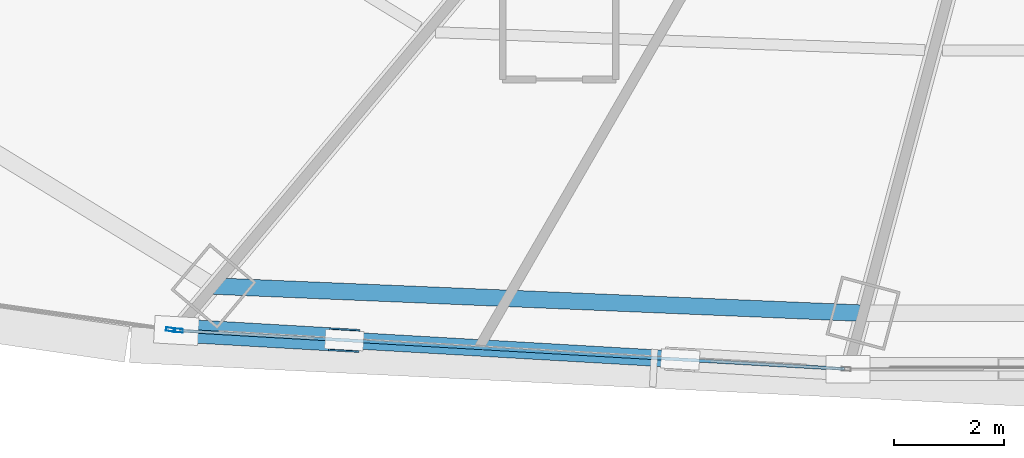
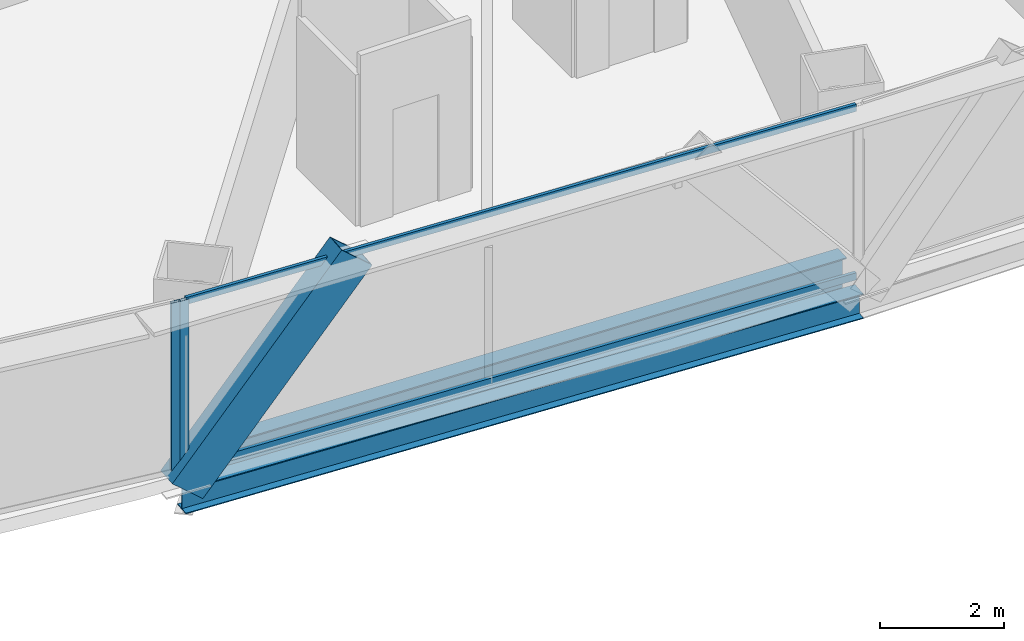
# One storey, part 6 of 41: 5 members, 2 beams, 2 elements without a shape of their own.
"""IFC4 building model written with IfcOpenShell, lengths in metres."""

from ifc_helpers import new_model, si_unit, direction, frame, origin, origin_2d, place, context, subcontext, project, spatial, hollow_rectangle, i_section, extrude, source, transform, mapped, material, layer, layer_set, material_profile, profile_set, type_object, element, aggregate, save


model = new_model("IFC4")

# Units and contexts
model_context = context("Model", 3, precision=1e-05, world=origin(), true_north=direction((0.0, 1.0)))
body_context = subcontext(model_context, "Body", "Model", "MODEL_VIEW")
ifc_project = project(units=[si_unit("LENGTHUNIT", "METRE"), si_unit("AREAUNIT", "SQUARE_METRE"), si_unit("VOLUMEUNIT", "CUBIC_METRE"), si_unit("PLANEANGLEUNIT", "RADIAN"), si_unit("MASSUNIT", "GRAM", prefix="KILO"), si_unit("THERMODYNAMICTEMPERATUREUNIT", "KELVIN"), si_unit("POWERUNIT", "WATT")], contexts=[model_context])

# Site, building, storey
site_placement = place(None, origin())
site = spatial("IfcSite", under=ifc_project, at=site_placement, CompositionType="ELEMENT")
building_placement = place(site_placement, origin())
building = spatial("IfcBuilding", under=site, at=building_placement, Name="Yunzhuo Pagoda Commons", CompositionType="ELEMENT")
storey_placement = place(building_placement, frame((0.0, 0.0, 63.070068359375)))
storey = spatial("IfcBuildingStorey", under=building, at=storey_placement, Name="L16", CompositionType="ELEMENT", Elevation=63.070068359375)

# Beams
ifc_material_1 = material(Name="Structural steel Q355B", Category="steel")
ifc_material_profile_1 = material_profile(ifc_material_1, i_section(OverallWidth=0.300048828125, OverallDepth=0.699951171875, WebThickness=0.012939453125, FlangeThickness=0.02392578125, at=origin_2d()), Name="Structural steel Q355B")
ifc_profile_set_1 = profile_set([ifc_material_profile_1], Name="Structural steel Q355B")
beam_type_1 = type_object("IfcBeamType", Name="B-RG1 Beam HN 700x300x13x24", PredefinedType="BEAM", material=ifc_profile_set_1)
shared_shape_1 = source(origin(), body_context, "Body", "SweptSolid", [
    extrude(i_section(OverallWidth=0.300048828125, OverallDepth=0.699951171875, WebThickness=0.012939453125, FlangeThickness=0.02392578125, at=origin_2d()), origin(), (0.0, 0.0, 1.0), 11.7900390625),
])
beam_1_placement = place(storey_placement, frame((30.5, 12.844482421875, -0.610107421875), z_axis=(0.99912739354, -0.041766631146, 0.0), x_axis=(0.041766631146, 0.99912739354, 0.0)))
element("IfcBeam", 1, at=beam_1_placement, inside=storey, type_object=beam_type_1, Name="L16 column-ring beam 1", PredefinedType="BEAM", context=body_context, shape_type="MappedRepresentation", body=[
    mapped(shared_shape_1, transform((0.0, 0.0, 0.0), scale=1.0)),
])
ifc_material_profile_2 = material_profile(ifc_material_1, i_section(OverallWidth=0.300048828125, OverallDepth=0.488037109375, WebThickness=0.010986328125, FlangeThickness=0.01806640625, at=origin_2d()), Name="Structural steel Q355B")
ifc_profile_set_2 = profile_set([ifc_material_profile_2], Name="Structural steel Q355B")
beam_type_2 = type_object("IfcBeamType", Name="B-SP1 Beam HM 488x300x11x18", PredefinedType="BEAM", material=ifc_profile_set_2)
shared_shape_2 = source(origin(), body_context, "Body", "SweptSolid", [
    extrude(i_section(OverallWidth=0.300048828125, OverallDepth=0.488037109375, WebThickness=0.010986328125, FlangeThickness=0.01806640625, at=origin_2d()), origin(), (0.0, 0.0, 1.0), 12.203125),
])
beam_2_placement = place(storey_placement, frame((29.8251953125, 12.0400390625, -0.504150390625), z_axis=(0.998343280555, -0.057538631989, 0.0), x_axis=(0.057538631989, 0.998343280555, 0.0)))
element("IfcBeam", 2, at=beam_2_placement, inside=storey, type_object=beam_type_2, Name="L16 facade edge spandrel beam F1.1", PredefinedType="BEAM", context=body_context, shape_type="MappedRepresentation", body=[
    mapped(shared_shape_2, transform((0.0, 0.0, 0.0), scale=1.0)),
])

# Member
ifc_material_2 = material(Name="Structural steel Q420B", Category="steel")
ifc_material_profile_3 = material_profile(ifc_material_2, hollow_rectangle(XDim=0.419921875, YDim=0.719970703125, WallThickness=0.028076171875, at=origin_2d()), Name="Structural steel Q420B")
ifc_profile_set_3 = profile_set([ifc_material_profile_3], Name="Structural steel Q420B")
member_type_1 = type_object("IfcMemberType", Name="M-DL1 Brace BOX 720x420x28", PredefinedType="BRACE", material=ifc_profile_set_3)
shared_shape_3 = source(origin(), body_context, "Body", "SweptSolid", [
    extrude(hollow_rectangle(XDim=0.419921875, YDim=0.719970703125, WallThickness=0.028076171875, at=origin_2d()), origin(), (0.0, 0.0, 1.0), 4.74169921875),
])
member_1_placement = place(storey_placement, frame((29.8251953125, 12.0400390625, -0.260009765625), z_axis=(0.642324823911, -0.037020565001, 0.765537914381), x_axis=(0.05753978125, 0.998343214317, 0.0)))
element("IfcMember", 3, at=member_1_placement, inside=storey, type_object=member_type_1, Name="L16 facade diamond brace F1.1L", PredefinedType="BRACE", context=body_context, shape_type="MappedRepresentation", body=[
    mapped(shared_shape_3, transform((0.0, 0.0, 0.0), scale=1.0)),
])

# Curtain wall, member
ifc_material_3 = material(Name="Anodized aluminium 6063-T6", Category="aluminium")
ifc_layer = layer(ifc_material_3, 0.1650390625)
ifc_layer_set = layer_set([ifc_layer], Name="Anodized aluminium 6063-T6")
curtain_wall_type = type_object("IfcCurtainWallType", Name="CW-LOW Low-Zone Ribbon Curtain Wall", PredefinedType="NOTDEFINED", material=ifc_layer_set)
curtain_wall_1_placement = place(storey_placement, origin())
curtain_wall_1 = element("IfcCurtainWall", 4, at=curtain_wall_1_placement, inside=storey, type_object=curtain_wall_type, Name="L16 curtain wall CW-L16-F1B2", PredefinedType="NOTDEFINED")
ifc_material_profile_4 = material_profile(ifc_material_3, hollow_rectangle(XDim=0.06494140625, YDim=0.1650390625, WallThickness=0.00390625, at=origin_2d()), Name="Anodized aluminium 6063-T6")
ifc_profile_set_4 = profile_set([ifc_material_profile_4], Name="Anodized aluminium 6063-T6")
member_type_2 = type_object("IfcMemberType", Name="CW-LOW-M Mullion RHS 165x65x4", PredefinedType="MULLION", material=ifc_profile_set_4)
shared_shape_4 = source(origin(), body_context, "Body", "SweptSolid", [
    extrude(hollow_rectangle(XDim=0.06494140625, YDim=0.1650390625, WallThickness=0.00390625, at=origin_2d()), origin(), (0.0, 0.0, 1.0), 3.369873046875),
])
member_2_placement = place(storey_placement, frame((29.857666015625, 12.0380859375, 0.0), z_axis=(0.0, 0.0, 1.0), x_axis=(0.057542190557, 0.998343075454, 0.0)))
member_2 = element("IfcMember", 5, at=member_2_placement, type_object=member_type_2, Name="CW mullion 1", PredefinedType="MULLION", context=body_context, shape_type="MappedRepresentation", body=[
    mapped(shared_shape_4, transform((0.0, 0.0, 0.0), scale=1.0)),
])

curtain_wall_2_placement = place(storey_placement, origin())
curtain_wall_2 = element("IfcCurtainWall", 6, at=curtain_wall_2_placement, inside=storey, type_object=curtain_wall_type, Name="L16 curtain wall CW-L16-F1B1", PredefinedType="NOTDEFINED")
member_3_placement = place(storey_placement, frame((29.71875, 12.05517578125, 0.0), z_axis=(0.0, 0.0, 1.0), x_axis=(0.141139872999, 0.989989664719, 0.0)))
member_3 = element("IfcMember", 7, at=member_3_placement, type_object=member_type_2, Name="CW mullion 2", PredefinedType="MULLION", context=body_context, shape_type="MappedRepresentation", body=[
    mapped(shared_shape_4, transform((0.0, 0.0, 0.0), scale=1.0)),
])
aggregate(curtain_wall_2, [member_3])

# Member
ifc_material_profile_5 = material_profile(ifc_material_3, hollow_rectangle(XDim=0.06005859375, YDim=0.139892578125, WallThickness=0.00341796875, at=origin_2d()), Name="Anodized aluminium 6063-T6")
ifc_profile_set_5 = profile_set([ifc_material_profile_5], Name="Anodized aluminium 6063-T6")
member_type_3 = type_object("IfcMemberType", Name="CW-LOW-T Transom RHS 140x60x3.5", PredefinedType="USERDEFINED", material=ifc_profile_set_5)
shared_shape_5 = source(origin(), body_context, "Body", "SweptSolid", [
    extrude(hollow_rectangle(XDim=0.06005859375, YDim=0.139892578125, WallThickness=0.00341796875, at=origin_2d()), origin(), (0.0, 0.0, 1.0), 12.0732421875),
])
member_4_placement = place(storey_placement, frame((29.889892578125, 12.036376953125, 0.030029296875), z_axis=(0.998342579206, -0.057550799684, 0.0), x_axis=(0.057550799684, 0.998342579206, 0.0)))
member_4 = element("IfcMember", 8, at=member_4_placement, type_object=member_type_3, Name="CW transom 1.1", ObjectType="TRANSOM", PredefinedType="USERDEFINED", context=body_context, shape_type="MappedRepresentation", body=[
    mapped(shared_shape_5, transform((0.0, 0.0, 0.0), scale=1.0)),
])

member_5_placement = place(storey_placement, frame((29.889892578125, 12.036376953125, 3.33984375), z_axis=(0.998342579206, -0.057550799684, 0.0), x_axis=(0.057550799684, 0.998342579206, 0.0)))
member_5 = element("IfcMember", 9, at=member_5_placement, type_object=member_type_3, Name="CW transom 1.2", ObjectType="TRANSOM", PredefinedType="USERDEFINED", context=body_context, shape_type="MappedRepresentation", body=[
    mapped(shared_shape_5, transform((0.0, 0.0, 0.0), scale=1.0)),
])

aggregate(curtain_wall_1, [member_2, member_4, member_5])

save(model, "model.ifc")
